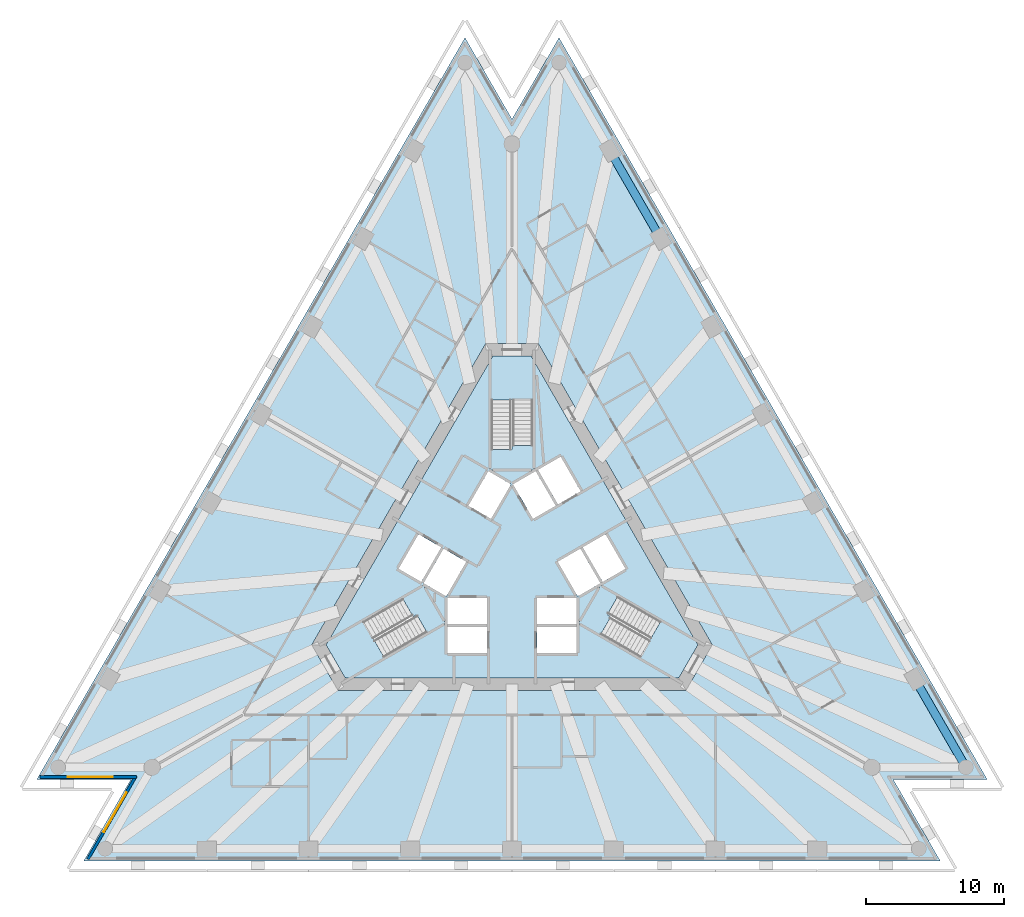
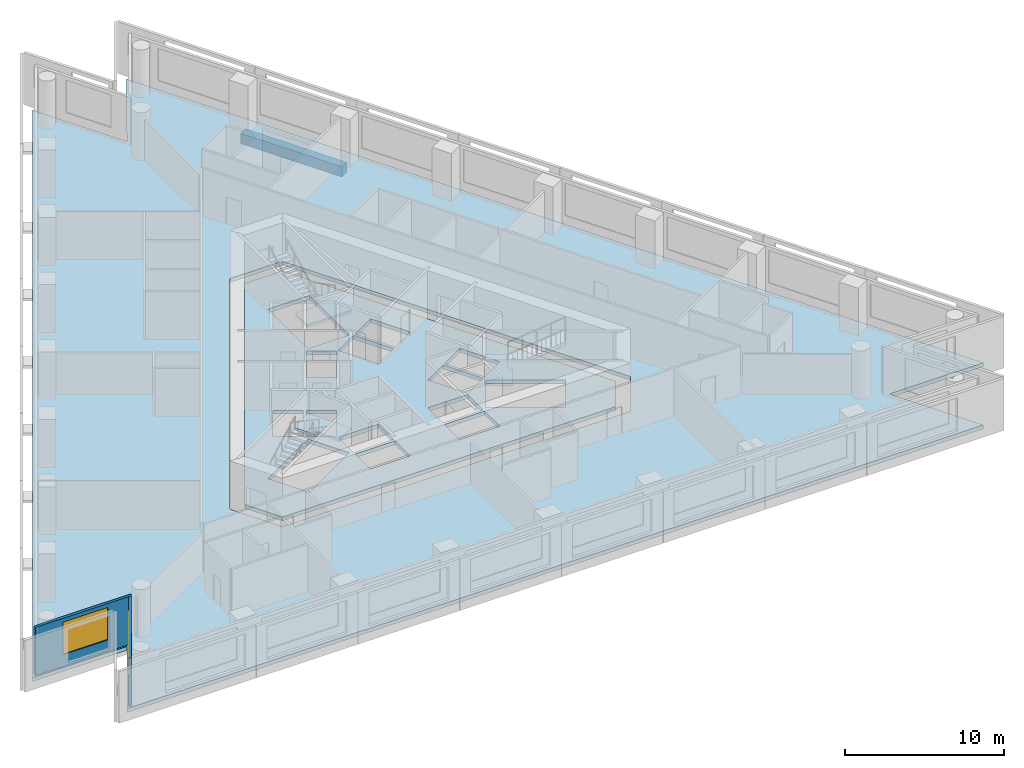
# One storey, part 2 of 11: 5 slabs, 2 beams, 2 walls, 2 windows, 2 openings, 3 elements without a shape of their own.
"""IFC4 building model written with IfcOpenShell, lengths in metres."""

from ifc_helpers import new_model, si_unit, direction, frame, frame_2d, origin, origin_2d, place, context, subcontext, project, spatial, polyline, rectangle, outline, extrude, material, layer, layer_set, layer_usage, material_profile, profile_set, type_object, element, fill, aggregate, save


model = new_model("IFC4")

# Units and contexts
model_context = context("Model", 3, precision=1e-05, world=origin(), true_north=direction((0.0, 1.0)))
body_context = subcontext(model_context, "Body", "Model", "MODEL_VIEW")
ifc_project = project(units=[si_unit("LENGTHUNIT", "METRE"), si_unit("AREAUNIT", "SQUARE_METRE"), si_unit("VOLUMEUNIT", "CUBIC_METRE"), si_unit("PLANEANGLEUNIT", "RADIAN"), si_unit("MASSUNIT", "GRAM", prefix="KILO")], contexts=[model_context])

# Site, building, storey
site_placement = place(None, origin())
site = spatial("IfcSite", under=ifc_project, at=site_placement, CompositionType="ELEMENT")
building_placement = place(site_placement, origin())
building = spatial("IfcBuilding", under=site, at=building_placement, Name="Triada Interchange Tower", CompositionType="ELEMENT")
storey_placement = place(building_placement, frame((0.0, 0.0, 63.300048828125)))
storey = spatial("IfcBuildingStorey", under=building, at=storey_placement, Name="L13", CompositionType="ELEMENT", Elevation=63.300048828125)

# Beams
ifc_material_1 = material(Name="Concrete C50/60", Category="concrete")
ifc_material_profile = material_profile(ifc_material_1, rectangle(XDim=0.60009765625, YDim=0.800048828125, at=origin_2d()), Name="RC 600x800")
ifc_profile_set = profile_set([ifc_material_profile], Name="Concrete C50/60")
beam_type = type_object("IfcBeamType", Name="Spandrel beam A RC 600x800", PredefinedType="BEAM", material=ifc_profile_set)
beam_1_placement = place(storey_placement, frame((32.98291015625, -15.097900390625, -0.699951171875), z_axis=(-0.500025532259, 0.866010662226, 0.0), x_axis=(-0.866010662226, -0.500025532259, 0.0)))
element("IfcBeam", 1, at=beam_1_placement, inside=storey, type_object=beam_type, Name="Spandrel beam EA21 L13", PredefinedType="BEAM", context=body_context, shape_type="SweptSolid", body=[
    extrude(rectangle(XDim=0.60009765625, YDim=0.800048828125, at=origin_2d()), origin(), (0.0, 0.0, 1.0), 7.39111328125),
])
beam_2_placement = place(storey_placement, frame((10.80810546875, 23.31005859375, -0.699951171875), z_axis=(-0.499993095098, 0.866029390295, 0.0), x_axis=(-0.866029390295, -0.499993095098, 0.0)))
element("IfcBeam", 2, at=beam_2_placement, inside=storey, type_object=beam_type, Name="Spandrel beam EA27 L13", PredefinedType="BEAM", context=body_context, shape_type="SweptSolid", body=[
    extrude(rectangle(XDim=0.60009765625, YDim=0.800048828125, at=origin_2d()), origin(), (0.0, 0.0, 1.0), 7.39208984375),
])

# Slabs
ifc_layer_1 = layer(ifc_material_1, 0.300048828125)
ifc_layer_set_1 = layer_set([ifc_layer_1], Name="Floor slab 300")
slab_type_1 = type_object("IfcSlabType", Name="Floor slab 300", PredefinedType="FLOOR", material=ifc_layer_set_1)
slab_1_placement = place(storey_placement, frame((0.0, 0.0, -0.300048828125)))
element("IfcSlab", 3, at=slab_1_placement, inside=storey, type_object=slab_type_1, Name="Floor slab L13", PredefinedType="FLOOR", context=body_context, shape_type="SweptSolid", body=[
    extrude(outline(polyline([(-3.416015625, 37.9130859375), (-34.5419921875, -15.998046875), (-27.708984375, -15.998046875), (-31.125, -21.9150390625), (31.125, -21.9150390625), (27.708984375, -15.998046875), (34.5419921875, -15.998046875), (3.416015625, 37.9130859375), (0.0, 31.99609375), (-3.416015625, 37.9130859375)]), holes=[polyline([(1.905029296875, 15.699951171875), (-1.905029296875, 15.699951171875), (-14.549072265625, -6.199951171875), (-12.64404296875, -9.5), (12.64404296875, -9.5), (14.549072265625, -6.199951171875), (1.905029296875, 15.699951171875)])]), origin(), (0.0, 0.0, 1.0), 0.300048828125),
])
slab_2_placement = place(storey_placement, frame((0.0, 0.0, -0.300048828125)))
element("IfcSlab", 4, at=slab_2_placement, inside=storey, type_object=slab_type_1, Name="Core floor slab L13 1", PredefinedType="FLOOR", context=body_context, shape_type="SweptSolid", body=[
    extrude(outline(polyline([(13.510009765625, -6.199951171875), (12.1240234375, -8.60009765625), (-12.1240234375, -8.60009765625), (-13.510009765625, -6.199951171875), (-1.385986328125, 14.800048828125), (1.385986328125, 14.800048828125), (13.510009765625, -6.199951171875)]), holes=[polyline([(9.2958984375, -7.09912109375), (10.7958984375, -4.5009765625), (6.466064453125, -2.0009765625), (4.966064453125, -4.59912109375), (9.2958984375, -7.09912109375)]), polyline([(6.7890625, 1.841064453125), (5.14404296875, 0.89111328125), (6.593994140625, -1.6201171875), (8.239013671875, -0.669921875), (6.7890625, 1.841064453125)]), polyline([(4.969970703125, 0.791015625), (3.324951171875, -0.158935546875), (4.77490234375, -2.669921875), (6.419921875, -1.719970703125), (4.969970703125, 0.791015625)]), polyline([(1.89404296875, 6.52001953125), (3.343994140625, 4.009033203125), (4.989013671875, 4.958984375), (3.5390625, 7.469970703125), (1.89404296875, 6.52001953125)]), polyline([(1.800048828125, -4.89990234375), (1.800048828125, -6.800048828125), (4.699951171875, -6.800048828125), (4.699951171875, -4.89990234375), (1.800048828125, -4.89990234375)]), polyline([(1.800048828125, -2.800048828125), (1.800048828125, -4.031005859375), (1.800048828125, -4.699951171875), (4.699951171875, -4.699951171875), (4.699951171875, -2.800048828125), (1.800048828125, -2.800048828125)]), polyline([(1.52490234375, 2.958984375), (1.68408203125, 3.051025390625), (3.169921875, 3.908935546875), (1.719970703125, 6.419921875), (0.074951171875, 5.469970703125), (1.52490234375, 2.958984375)]), polyline([(1.5, 11.60009765625), (-1.5, 11.60009765625), (-1.5, 6.60009765625), (1.5, 6.60009765625), (1.5, 11.60009765625)]), polyline([(-0.074951171875, 5.469970703125), (-1.719970703125, 6.419921875), (-3.169921875, 3.908935546875), (-1.6298828125, 3.01904296875), (-1.52490234375, 2.958984375), (-0.074951171875, 5.469970703125)]), polyline([(-4.699951171875, -2.800048828125), (-4.699951171875, -4.699951171875), (-1.800048828125, -4.699951171875), (-1.800048828125, -4.031005859375), (-1.800048828125, -2.800048828125), (-4.699951171875, -2.800048828125)]), polyline([(-4.699951171875, -4.89990234375), (-4.699951171875, -6.800048828125), (-1.800048828125, -6.800048828125), (-1.800048828125, -4.89990234375), (-4.699951171875, -4.89990234375)]), polyline([(-4.77490234375, -2.669921875), (-3.324951171875, -0.158935546875), (-4.969970703125, 0.791015625), (-6.419921875, -1.719970703125), (-4.77490234375, -2.669921875)]), polyline([(-10.7958984375, -4.5009765625), (-9.2958984375, -7.09912109375), (-4.966064453125, -4.59912109375), (-6.466064453125, -2.0009765625), (-10.7958984375, -4.5009765625)]), polyline([(-6.593994140625, -1.6201171875), (-5.14404296875, 0.89111328125), (-6.7890625, 1.841064453125), (-8.239013671875, -0.669921875), (-6.593994140625, -1.6201171875)])]), origin(), (0.0, 0.0, 1.0), 0.300048828125),
])

# Stair, slab
ifc_material_2 = material(Name="Concrete C35/45", Category="concrete")
stair_type = type_object("IfcStairType", Name="HALF TURN STAIR 1400", PredefinedType="HALF_TURN_STAIR", material=ifc_material_2)
stair_1_placement = place(storey_placement, origin())
stair_1 = element("IfcStair", 5, at=stair_1_placement, inside=storey, type_object=stair_type, Name="Exit stair S12-1", PredefinedType="HALF_TURN_STAIR")
ifc_layer_2 = layer(ifc_material_2, 0.199951171875)
ifc_layer_set_2 = layer_set([ifc_layer_2], Name="STAIR LANDING 200")
slab_type_2 = type_object("IfcSlabType", Name="STAIR LANDING 200", PredefinedType="LANDING", material=ifc_layer_set_2)
slab_3_placement = place(storey_placement, frame((0.0, 0.0, 1.719970703125)))
slab_3 = element("IfcSlab", 6, at=slab_3_placement, type_object=slab_type_2, Name="S12-1 landing 1", PredefinedType="LANDING", context=body_context, shape_type="SweptSolid", body=[
    extrude(outline(polyline([(1.60009765625, 6.5), (1.60009765625, 8.300048828125), (0.0, 8.300048828125), (0.0, 8.0), (-1.60009765625, 8.0), (-1.60009765625, 6.5), (1.60009765625, 6.5)])), origin(), (0.0, 0.0, 1.0), 0.199951171875),
])
aggregate(stair_1, [slab_3])

stair_2_placement = place(storey_placement, origin())
stair_2 = element("IfcStair", 7, at=stair_2_placement, inside=storey, type_object=stair_type, Name="Exit stair S12-2", PredefinedType="HALF_TURN_STAIR")
slab_4_placement = place(storey_placement, frame((0.0, 0.0, 1.719970703125)))
slab_4 = element("IfcSlab", 8, at=slab_4_placement, type_object=slab_type_2, Name="S12-2 landing 1", PredefinedType="LANDING", context=body_context, shape_type="SweptSolid", body=[
    extrude(outline(polyline([(-6.428955078125, -1.864013671875), (-7.988037109375, -2.763916015625), (-7.18798828125, -4.14990234375), (-6.927978515625, -4.0), (-6.1279296875, -5.385986328125), (-4.8291015625, -4.635986328125), (-6.428955078125, -1.864013671875)])), origin(), (0.0, 0.0, 1.0), 0.199951171875),
])
aggregate(stair_2, [slab_4])

stair_3_placement = place(storey_placement, origin())
stair_3 = element("IfcStair", 9, at=stair_3_placement, inside=storey, type_object=stair_type, Name="Exit stair S12-3", PredefinedType="HALF_TURN_STAIR")
slab_5_placement = place(storey_placement, frame((0.0, 0.0, 1.719970703125)))
slab_5 = element("IfcSlab", 10, at=slab_5_placement, type_object=slab_type_2, Name="S12-3 landing 1", PredefinedType="LANDING", context=body_context, shape_type="SweptSolid", body=[
    extrude(outline(polyline([(4.8291015625, -4.635986328125), (6.387939453125, -5.535888671875), (7.18798828125, -4.14990234375), (6.927978515625, -4.0), (7.72802734375, -2.614013671875), (6.428955078125, -1.864013671875), (4.8291015625, -4.635986328125)])), origin(), (0.0, 0.0, 1.0), 0.199951171875),
])
aggregate(stair_3, [slab_5])

# Wall, opening, window
ifc_material_3 = material(Name="Cement board")
ifc_layer_3 = layer(ifc_material_3, 0.02001953125, Name="Cement board cladding")
ifc_material_4 = material(Name="Sheathing board")
ifc_layer_4 = layer(ifc_material_4, 0.014892578125, Name="Sheathing board")
ifc_material_5 = material(Name="Mineral wool")
ifc_layer_5 = layer(ifc_material_5, 0.14990234375, Name="Mineral wool between steel studs")
ifc_material_6 = material(Name="Gypsum board")
ifc_layer_6 = layer(ifc_material_6, 0.014892578125, Name="Plasterboard lining")
ifc_layer_set_3 = layer_set([ifc_layer_3, ifc_layer_4, ifc_layer_5, ifc_layer_6], Name="External wall 200")
ifc_layer_usage = layer_usage(ifc_layer_set_3, "AXIS2", "POSITIVE", -0.10009765625)
wall_type = type_object("IfcWallType", Name="External wall 200", PredefinedType="ELEMENTEDWALL", material=ifc_layer_set_3)
wall_1_placement = place(storey_placement, frame((-34.285888671875, -15.798095703125, 0.0), z_axis=(0.0, 0.0, 1.0), x_axis=(1.0, 0.0, 0.0)))
wall_1 = element("IfcWall", 11, at=wall_1_placement, inside=storey, type_object=wall_type, material=ifc_layer_usage, Name="External wall L13 SW-1", PredefinedType="ELEMENTEDWALL", context=body_context, shape_type="SweptSolid", body=[
    extrude(rectangle(XDim=6.992919921875, YDim=0.199951171875, at=frame_2d((3.49658203125, 0.0))), origin(), (0.0, 0.0, 1.0), 3.699951171875),
])
opening_1_placement = place(wall_1_placement, frame((1.989990234375, 0.0, 0.89990234375)))
opening_1 = element("IfcOpeningElement", 12, at=opening_1_placement, cuts=wall_1, Name="Opening WA09", PredefinedType="OPENING", context=body_context, shape_type="SweptSolid", body=[
    extrude(rectangle(XDim=3.300048828125, YDim=2.5, at=frame_2d((1.64990234375, 1.25))), frame((0.0, 0.10986328125, 0.0), z_axis=(0.0, -1.0, 0.0), x_axis=(1.0, 0.0, 0.0)), (0.0, 0.0, 1.0), 0.219970703125),
])
ifc_material_7 = material(Name="Double glazed aluminium window", Category="aluminium")
window_type = type_object("IfcWindowType", Name="Ribbon window A pocket", PartitioningType="SINGLE_PANEL", PredefinedType="WINDOW", material=ifc_material_7)
window_1_placement = place(opening_1_placement, origin())
window_1 = element("IfcWindow", 13, at=window_1_placement, inside=storey, type_object=window_type, Name="Window L13 SW-1 1", OverallHeight=2.5, OverallWidth=3.300048828125, PartitioningType="SINGLE_PANEL", PredefinedType="WINDOW", context=body_context, shape_type="SweptSolid", body=[
    extrude(rectangle(XDim=3.300048828125, YDim=2.5, at=frame_2d((1.64990234375, 1.25))), frame((0.0, 0.030029296875, 0.0), z_axis=(0.0, -1.0, 0.0), x_axis=(1.0, 0.0, 0.0)), (0.0, 0.0, 1.0), 0.06005859375),
])
fill(opening_1, window_1)

wall_2_placement = place(storey_placement, frame((-27.318115234375, -15.719970703125, 0.0), z_axis=(0.0, 0.0, 1.0), x_axis=(-0.499943085557, -0.86605826086, 0.0)))
wall_2 = element("IfcWall", 14, at=wall_2_placement, inside=storey, type_object=wall_type, material=ifc_layer_usage, Name="External wall L13 SW-2", PredefinedType="ELEMENTEDWALL", context=body_context, shape_type="SweptSolid", body=[
    extrude(rectangle(XDim=6.992431640625, YDim=0.199951171875, at=frame_2d((3.49609375, 0.0))), origin(), (0.0, 0.0, 1.0), 3.699951171875),
])
opening_2_placement = place(wall_2_placement, frame((1.389892578125, 0.0, 0.89990234375)))
opening_2 = element("IfcOpeningElement", 15, at=opening_2_placement, cuts=wall_2, Name="Opening WA10", PredefinedType="OPENING", context=body_context, shape_type="SweptSolid", body=[
    extrude(rectangle(XDim=3.300048828125, YDim=2.5, at=frame_2d((1.64990234375, 1.25))), frame((0.0, 0.10986328125, 0.0), z_axis=(0.0, -1.0, 0.0), x_axis=(1.0, 0.0, 0.0)), (0.0, 0.0, 1.0), 0.219970703125),
])
window_2_placement = place(opening_2_placement, origin())
window_2 = element("IfcWindow", 16, at=window_2_placement, inside=storey, type_object=window_type, Name="Window L13 SW-2 1", OverallHeight=2.5, OverallWidth=3.300048828125, PartitioningType="SINGLE_PANEL", PredefinedType="WINDOW", context=body_context, shape_type="SweptSolid", body=[
    extrude(rectangle(XDim=3.300048828125, YDim=2.5, at=frame_2d((1.64990234375, 1.25))), frame((0.0, 0.030029296875, 0.0), z_axis=(0.0, -1.0, 0.0), x_axis=(1.0, 0.0, 0.0)), (0.0, 0.0, 1.0), 0.06005859375),
])
fill(opening_2, window_2)

save(model, "model.ifc")
